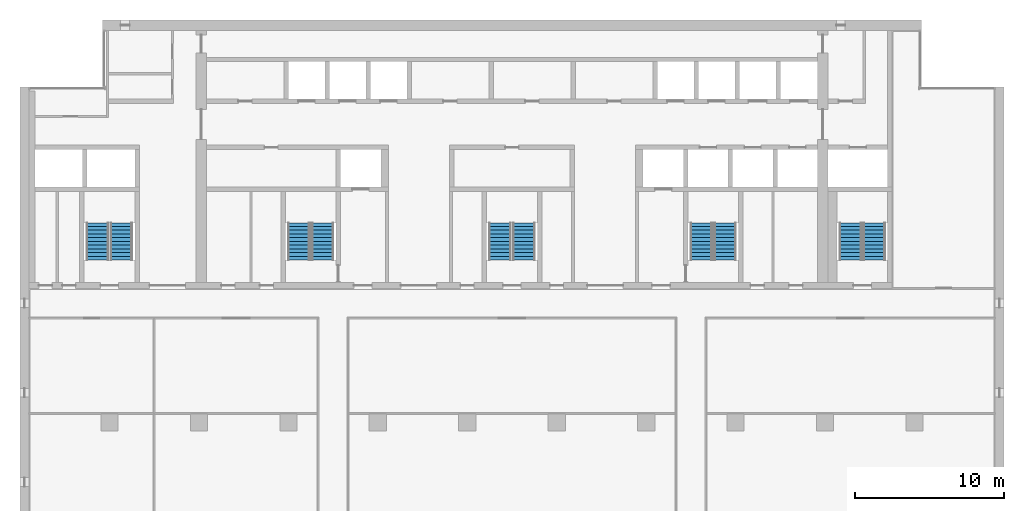
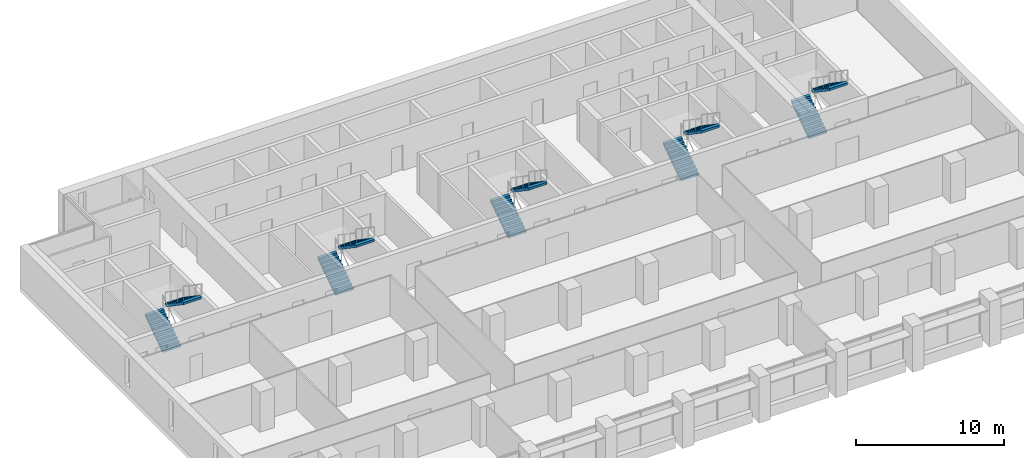
# One storey, part 13 of 16: 10 stair flights, 5 elements without a shape of their own.
"""IFC4 building model written with IfcOpenShell, lengths in metres."""

from ifc_helpers import new_model, si_unit, direction, frame, origin, place, context, subcontext, project, spatial, polyline, outline, extrude, material, type_object, element, aggregate, save


model = new_model("IFC4")

# Units and contexts
model_context = context("Model", 3, precision=1e-05, world=origin(), true_north=direction((0.0, 1.0)))
body_context = subcontext(model_context, "Body", "Model", "MODEL_VIEW")
ifc_project = project(units=[si_unit("LENGTHUNIT", "METRE"), si_unit("AREAUNIT", "SQUARE_METRE"), si_unit("VOLUMEUNIT", "CUBIC_METRE"), si_unit("PLANEANGLEUNIT", "RADIAN"), si_unit("MASSUNIT", "GRAM", prefix="KILO")], contexts=[model_context])

# Site, building, storey
site_placement = place(None, origin())
site = spatial("IfcSite", under=ifc_project, at=site_placement, CompositionType="ELEMENT")
building_placement = place(site_placement, origin())
building = spatial("IfcBuilding", under=site, at=building_placement, Name="Calvaro Tower", CompositionType="ELEMENT")
storey_placement = place(building_placement, frame((0.0, 0.0, 181.75)))
storey = spatial("IfcBuildingStorey", under=building, at=storey_placement, Name="L45", CompositionType="ELEMENT", Elevation=181.75)

# Stair, stair flights
ifc_material_1 = material(Name="Concrete C40/50", Category="concrete")
stair_type = type_object("IfcStairType", Name="Exit stair 1400 2 flights", PredefinedType="HALF_TURN_STAIR", material=ifc_material_1)
stair_1_placement = place(storey_placement, origin())
stair_1 = element("IfcStair", 1, at=stair_1_placement, inside=storey, type_object=stair_type, Name="Exit stair S1", PredefinedType="HALF_TURN_STAIR")
ifc_material_2 = material(Name="Concrete C40/50", Category="concrete")
stair_flight_type = type_object("IfcStairFlightType", Name="Stair flight", PredefinedType="STRAIGHT", material=ifc_material_2)
stair_flight_1_placement = place(storey_placement, frame((11.199951171875, 29.89990234375, 0.0), z_axis=(0.0, 0.0, 1.0), x_axis=(0.0, 1.0, 0.0)))
stair_flight_1 = element("IfcStairFlight", 2, at=stair_flight_1_placement, type_object=stair_flight_type, Name="Exit stair 1, flight 1", NumberOfRisers=11, NumberOfTreads=10, PredefinedType="STRAIGHT", RiserHeight=0.170454545, TreadLength=0.25, context=body_context, shape_type="SweptSolid", body=[
    extrude(outline(polyline([(0.0, 0.0), (0.0, 0.17041015625), (0.25, 0.17041015625), (0.25, 0.3408203125), (0.5, 0.3408203125), (0.5, 0.511474609375), (0.75, 0.511474609375), (0.75, 0.681884765625), (1.0, 0.681884765625), (1.0, 0.852294921875), (1.25, 0.852294921875), (1.25, 1.022705078125), (1.5, 1.022705078125), (1.5, 1.193115234375), (1.75, 1.193115234375), (1.75, 1.363525390625), (2.0, 1.363525390625), (2.0, 1.5341796875), (2.25, 1.5341796875), (2.25, 1.70458984375), (2.5, 1.70458984375), (2.5, 1.875), (2.5, 1.523193359375), (0.26611328125, 0.0), (0.0, 0.0)])), frame((0.0, 0.699951171875, 0.0), z_axis=(0.0, -1.0, 0.0), x_axis=(1.0, 0.0, 0.0)), (0.0, 0.0, 1.0), 1.39990234375),
])
stair_flight_2_placement = place(storey_placement, frame((12.800048828125, 32.39990234375, 1.875), z_axis=(0.0, 0.0, 1.0), x_axis=(0.0, -1.0, 0.0)))
stair_flight_2 = element("IfcStairFlight", 3, at=stair_flight_2_placement, type_object=stair_flight_type, Name="Exit stair 1, flight 2", NumberOfRisers=11, NumberOfTreads=10, PredefinedType="STRAIGHT", RiserHeight=0.170454545, TreadLength=0.25, context=body_context, shape_type="SweptSolid", body=[
    extrude(outline(polyline([(0.0, 0.0), (0.0, 0.17041015625), (0.25, 0.17041015625), (0.25, 0.3408203125), (0.5, 0.3408203125), (0.5, 0.511474609375), (0.75, 0.511474609375), (0.75, 0.681884765625), (1.0, 0.681884765625), (1.0, 0.852294921875), (1.25, 0.852294921875), (1.25, 1.022705078125), (1.5, 1.022705078125), (1.5, 1.193115234375), (1.75, 1.193115234375), (1.75, 1.363525390625), (2.0, 1.363525390625), (2.0, 1.5341796875), (2.25, 1.5341796875), (2.25, 1.70458984375), (2.5, 1.70458984375), (2.5, 1.875), (2.5, 1.523193359375), (0.26611328125, 0.0), (0.0, 0.0)])), frame((0.0, 0.699951171875, 0.0), z_axis=(0.0, -1.0, 0.0), x_axis=(1.0, 0.0, 0.0)), (0.0, 0.0, 1.0), 1.39990234375),
])
aggregate(stair_1, [stair_flight_1, stair_flight_2])

stair_2_placement = place(storey_placement, origin())
stair_2 = element("IfcStair", 4, at=stair_2_placement, inside=storey, type_object=stair_type, Name="Exit stair S2", PredefinedType="HALF_TURN_STAIR")
stair_flight_3_placement = place(storey_placement, frame((24.699951171875, 29.89990234375, 0.0), z_axis=(0.0, 0.0, 1.0), x_axis=(0.0, 1.0, 0.0)))
stair_flight_3 = element("IfcStairFlight", 5, at=stair_flight_3_placement, type_object=stair_flight_type, Name="Exit stair 2, flight 1", NumberOfRisers=11, NumberOfTreads=10, PredefinedType="STRAIGHT", RiserHeight=0.170454545, TreadLength=0.25, context=body_context, shape_type="SweptSolid", body=[
    extrude(outline(polyline([(0.0, 0.0), (0.0, 0.17041015625), (0.25, 0.17041015625), (0.25, 0.3408203125), (0.5, 0.3408203125), (0.5, 0.511474609375), (0.75, 0.511474609375), (0.75, 0.681884765625), (1.0, 0.681884765625), (1.0, 0.852294921875), (1.25, 0.852294921875), (1.25, 1.022705078125), (1.5, 1.022705078125), (1.5, 1.193115234375), (1.75, 1.193115234375), (1.75, 1.363525390625), (2.0, 1.363525390625), (2.0, 1.5341796875), (2.25, 1.5341796875), (2.25, 1.70458984375), (2.5, 1.70458984375), (2.5, 1.875), (2.5, 1.523193359375), (0.26611328125, 0.0), (0.0, 0.0)])), frame((0.0, 0.699951171875, 0.0), z_axis=(0.0, -1.0, 0.0), x_axis=(1.0, 0.0, 0.0)), (0.0, 0.0, 1.0), 1.39990234375),
])
stair_flight_4_placement = place(storey_placement, frame((26.300048828125, 32.39990234375, 1.875), z_axis=(0.0, 0.0, 1.0), x_axis=(0.0, -1.0, 0.0)))
stair_flight_4 = element("IfcStairFlight", 6, at=stair_flight_4_placement, type_object=stair_flight_type, Name="Exit stair 2, flight 2", NumberOfRisers=11, NumberOfTreads=10, PredefinedType="STRAIGHT", RiserHeight=0.170454545, TreadLength=0.25, context=body_context, shape_type="SweptSolid", body=[
    extrude(outline(polyline([(0.0, 0.0), (0.0, 0.17041015625), (0.25, 0.17041015625), (0.25, 0.3408203125), (0.5, 0.3408203125), (0.5, 0.511474609375), (0.75, 0.511474609375), (0.75, 0.681884765625), (1.0, 0.681884765625), (1.0, 0.852294921875), (1.25, 0.852294921875), (1.25, 1.022705078125), (1.5, 1.022705078125), (1.5, 1.193115234375), (1.75, 1.193115234375), (1.75, 1.363525390625), (2.0, 1.363525390625), (2.0, 1.5341796875), (2.25, 1.5341796875), (2.25, 1.70458984375), (2.5, 1.70458984375), (2.5, 1.875), (2.5, 1.523193359375), (0.26611328125, 0.0), (0.0, 0.0)])), frame((0.0, 0.699951171875, 0.0), z_axis=(0.0, -1.0, 0.0), x_axis=(1.0, 0.0, 0.0)), (0.0, 0.0, 1.0), 1.39990234375),
])
aggregate(stair_2, [stair_flight_3, stair_flight_4])

stair_3_placement = place(storey_placement, origin())
stair_3 = element("IfcStair", 7, at=stair_3_placement, inside=storey, type_object=stair_type, Name="Exit stair S3", PredefinedType="HALF_TURN_STAIR")
stair_flight_5_placement = place(storey_placement, frame((38.199951171875, 29.89990234375, 0.0), z_axis=(0.0, 0.0, 1.0), x_axis=(0.0, 1.0, 0.0)))
stair_flight_5 = element("IfcStairFlight", 8, at=stair_flight_5_placement, type_object=stair_flight_type, Name="Exit stair 3, flight 1", NumberOfRisers=11, NumberOfTreads=10, PredefinedType="STRAIGHT", RiserHeight=0.170454545, TreadLength=0.25, context=body_context, shape_type="SweptSolid", body=[
    extrude(outline(polyline([(0.0, 0.0), (0.0, 0.17041015625), (0.25, 0.17041015625), (0.25, 0.3408203125), (0.5, 0.3408203125), (0.5, 0.511474609375), (0.75, 0.511474609375), (0.75, 0.681884765625), (1.0, 0.681884765625), (1.0, 0.852294921875), (1.25, 0.852294921875), (1.25, 1.022705078125), (1.5, 1.022705078125), (1.5, 1.193115234375), (1.75, 1.193115234375), (1.75, 1.363525390625), (2.0, 1.363525390625), (2.0, 1.5341796875), (2.25, 1.5341796875), (2.25, 1.70458984375), (2.5, 1.70458984375), (2.5, 1.875), (2.5, 1.523193359375), (0.26611328125, 0.0), (0.0, 0.0)])), frame((0.0, 0.699951171875, 0.0), z_axis=(0.0, -1.0, 0.0), x_axis=(1.0, 0.0, 0.0)), (0.0, 0.0, 1.0), 1.39990234375),
])
stair_flight_6_placement = place(storey_placement, frame((39.800048828125, 32.39990234375, 1.875), z_axis=(0.0, 0.0, 1.0), x_axis=(0.0, -1.0, 0.0)))
stair_flight_6 = element("IfcStairFlight", 9, at=stair_flight_6_placement, type_object=stair_flight_type, Name="Exit stair 3, flight 2", NumberOfRisers=11, NumberOfTreads=10, PredefinedType="STRAIGHT", RiserHeight=0.170454545, TreadLength=0.25, context=body_context, shape_type="SweptSolid", body=[
    extrude(outline(polyline([(0.0, 0.0), (0.0, 0.17041015625), (0.25, 0.17041015625), (0.25, 0.3408203125), (0.5, 0.3408203125), (0.5, 0.511474609375), (0.75, 0.511474609375), (0.75, 0.681884765625), (1.0, 0.681884765625), (1.0, 0.852294921875), (1.25, 0.852294921875), (1.25, 1.022705078125), (1.5, 1.022705078125), (1.5, 1.193115234375), (1.75, 1.193115234375), (1.75, 1.363525390625), (2.0, 1.363525390625), (2.0, 1.5341796875), (2.25, 1.5341796875), (2.25, 1.70458984375), (2.5, 1.70458984375), (2.5, 1.875), (2.5, 1.523193359375), (0.26611328125, 0.0), (0.0, 0.0)])), frame((0.0, 0.699951171875, 0.0), z_axis=(0.0, -1.0, 0.0), x_axis=(1.0, 0.0, 0.0)), (0.0, 0.0, 1.0), 1.39990234375),
])
aggregate(stair_3, [stair_flight_5, stair_flight_6])

stair_4_placement = place(storey_placement, origin())
stair_4 = element("IfcStair", 10, at=stair_4_placement, inside=storey, type_object=stair_type, Name="Exit stair S4", PredefinedType="HALF_TURN_STAIR")
stair_flight_7_placement = place(storey_placement, frame((51.699951171875, 29.89990234375, 0.0), z_axis=(0.0, 0.0, 1.0), x_axis=(0.0, 1.0, 0.0)))
stair_flight_7 = element("IfcStairFlight", 11, at=stair_flight_7_placement, type_object=stair_flight_type, Name="Exit stair 4, flight 1", NumberOfRisers=11, NumberOfTreads=10, PredefinedType="STRAIGHT", RiserHeight=0.170454545, TreadLength=0.25, context=body_context, shape_type="SweptSolid", body=[
    extrude(outline(polyline([(0.0, 0.0), (0.0, 0.17041015625), (0.25, 0.17041015625), (0.25, 0.3408203125), (0.5, 0.3408203125), (0.5, 0.511474609375), (0.75, 0.511474609375), (0.75, 0.681884765625), (1.0, 0.681884765625), (1.0, 0.852294921875), (1.25, 0.852294921875), (1.25, 1.022705078125), (1.5, 1.022705078125), (1.5, 1.193115234375), (1.75, 1.193115234375), (1.75, 1.363525390625), (2.0, 1.363525390625), (2.0, 1.5341796875), (2.25, 1.5341796875), (2.25, 1.70458984375), (2.5, 1.70458984375), (2.5, 1.875), (2.5, 1.523193359375), (0.26611328125, 0.0), (0.0, 0.0)])), frame((0.0, 0.699951171875, 0.0), z_axis=(0.0, -1.0, 0.0), x_axis=(1.0, 0.0, 0.0)), (0.0, 0.0, 1.0), 1.39990234375),
])
stair_flight_8_placement = place(storey_placement, frame((53.300048828125, 32.39990234375, 1.875), z_axis=(0.0, 0.0, 1.0), x_axis=(0.0, -1.0, 0.0)))
stair_flight_8 = element("IfcStairFlight", 12, at=stair_flight_8_placement, type_object=stair_flight_type, Name="Exit stair 4, flight 2", NumberOfRisers=11, NumberOfTreads=10, PredefinedType="STRAIGHT", RiserHeight=0.170454545, TreadLength=0.25, context=body_context, shape_type="SweptSolid", body=[
    extrude(outline(polyline([(0.0, 0.0), (0.0, 0.17041015625), (0.25, 0.17041015625), (0.25, 0.3408203125), (0.5, 0.3408203125), (0.5, 0.511474609375), (0.75, 0.511474609375), (0.75, 0.681884765625), (1.0, 0.681884765625), (1.0, 0.852294921875), (1.25, 0.852294921875), (1.25, 1.022705078125), (1.5, 1.022705078125), (1.5, 1.193115234375), (1.75, 1.193115234375), (1.75, 1.363525390625), (2.0, 1.363525390625), (2.0, 1.5341796875), (2.25, 1.5341796875), (2.25, 1.70458984375), (2.5, 1.70458984375), (2.5, 1.875), (2.5, 1.523193359375), (0.26611328125, 0.0), (0.0, 0.0)])), frame((0.0, 0.699951171875, 0.0), z_axis=(0.0, -1.0, 0.0), x_axis=(1.0, 0.0, 0.0)), (0.0, 0.0, 1.0), 1.39990234375),
])
aggregate(stair_4, [stair_flight_7, stair_flight_8])

stair_5_placement = place(storey_placement, origin())
stair_5 = element("IfcStair", 13, at=stair_5_placement, inside=storey, type_object=stair_type, Name="Exit stair S5", PredefinedType="HALF_TURN_STAIR")
stair_flight_9_placement = place(storey_placement, frame((61.699951171875, 29.89990234375, 0.0), z_axis=(0.0, 0.0, 1.0), x_axis=(0.0, 1.0, 0.0)))
stair_flight_9 = element("IfcStairFlight", 14, at=stair_flight_9_placement, type_object=stair_flight_type, Name="Exit stair 5, flight 1", NumberOfRisers=11, NumberOfTreads=10, PredefinedType="STRAIGHT", RiserHeight=0.170454545, TreadLength=0.25, context=body_context, shape_type="SweptSolid", body=[
    extrude(outline(polyline([(0.0, 0.0), (0.0, 0.17041015625), (0.25, 0.17041015625), (0.25, 0.3408203125), (0.5, 0.3408203125), (0.5, 0.511474609375), (0.75, 0.511474609375), (0.75, 0.681884765625), (1.0, 0.681884765625), (1.0, 0.852294921875), (1.25, 0.852294921875), (1.25, 1.022705078125), (1.5, 1.022705078125), (1.5, 1.193115234375), (1.75, 1.193115234375), (1.75, 1.363525390625), (2.0, 1.363525390625), (2.0, 1.5341796875), (2.25, 1.5341796875), (2.25, 1.70458984375), (2.5, 1.70458984375), (2.5, 1.875), (2.5, 1.523193359375), (0.26611328125, 0.0), (0.0, 0.0)])), frame((0.0, 0.699951171875, 0.0), z_axis=(0.0, -1.0, 0.0), x_axis=(1.0, 0.0, 0.0)), (0.0, 0.0, 1.0), 1.39990234375),
])
stair_flight_10_placement = place(storey_placement, frame((63.300048828125, 32.39990234375, 1.875), z_axis=(0.0, 0.0, 1.0), x_axis=(0.0, -1.0, 0.0)))
stair_flight_10 = element("IfcStairFlight", 15, at=stair_flight_10_placement, type_object=stair_flight_type, Name="Exit stair 5, flight 2", NumberOfRisers=11, NumberOfTreads=10, PredefinedType="STRAIGHT", RiserHeight=0.170454545, TreadLength=0.25, context=body_context, shape_type="SweptSolid", body=[
    extrude(outline(polyline([(0.0, 0.0), (0.0, 0.17041015625), (0.25, 0.17041015625), (0.25, 0.3408203125), (0.5, 0.3408203125), (0.5, 0.511474609375), (0.75, 0.511474609375), (0.75, 0.681884765625), (1.0, 0.681884765625), (1.0, 0.852294921875), (1.25, 0.852294921875), (1.25, 1.022705078125), (1.5, 1.022705078125), (1.5, 1.193115234375), (1.75, 1.193115234375), (1.75, 1.363525390625), (2.0, 1.363525390625), (2.0, 1.5341796875), (2.25, 1.5341796875), (2.25, 1.70458984375), (2.5, 1.70458984375), (2.5, 1.875), (2.5, 1.523193359375), (0.26611328125, 0.0), (0.0, 0.0)])), frame((0.0, 0.699951171875, 0.0), z_axis=(0.0, -1.0, 0.0), x_axis=(1.0, 0.0, 0.0)), (0.0, 0.0, 1.0), 1.39990234375),
])
aggregate(stair_5, [stair_flight_9, stair_flight_10])

save(model, "model.ifc")
